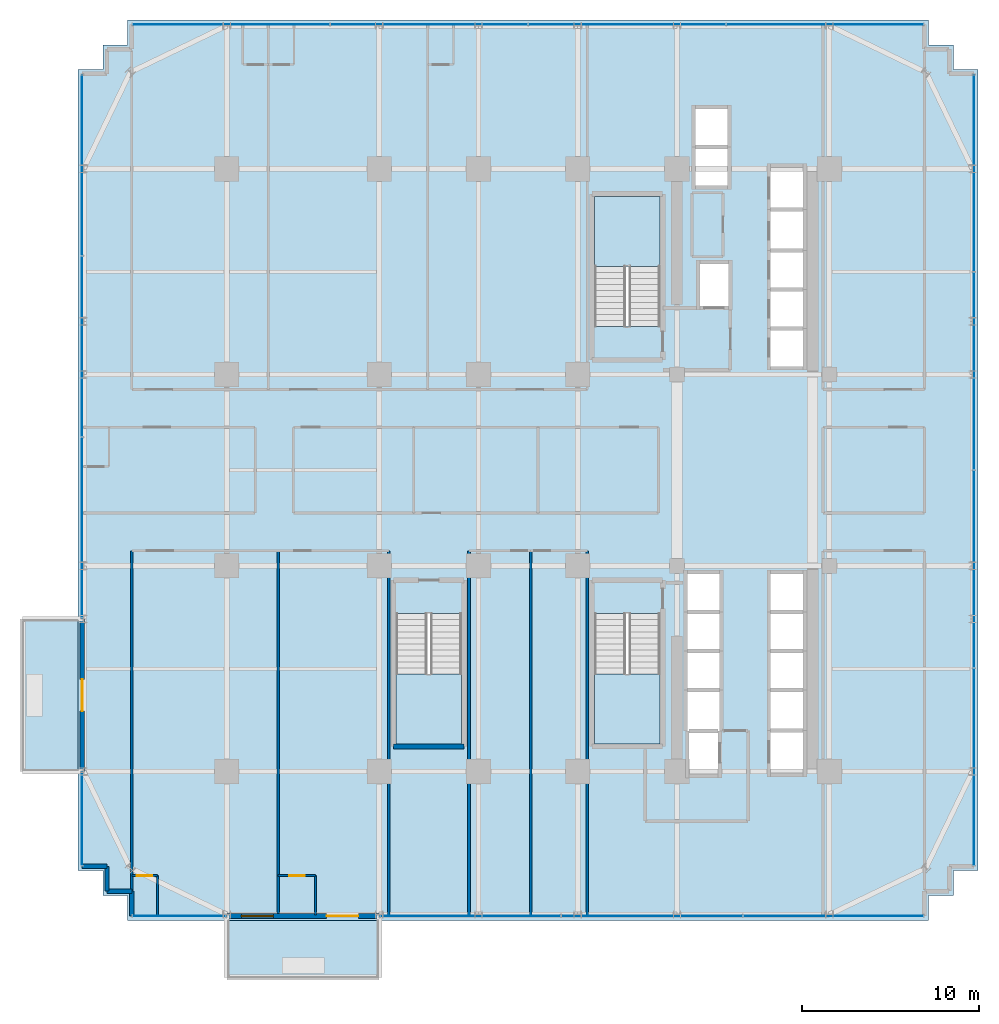
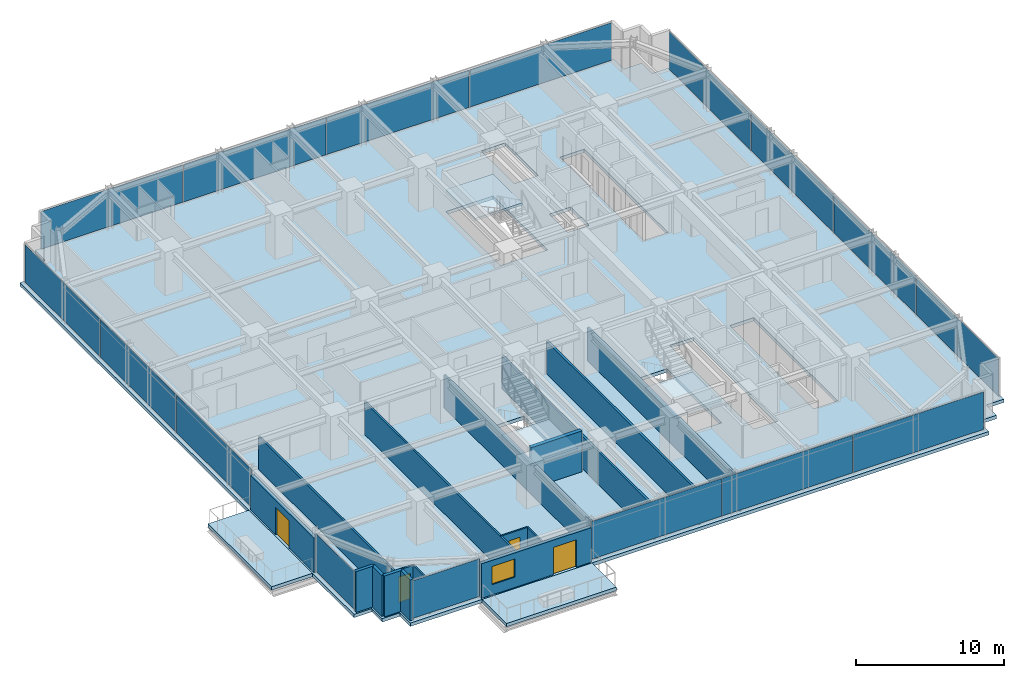
# One storey, part 30 of 37: 17 walls, 16 plates, 6 slabs, 4 doors, 1 window, 5 openings, 9 elements without a shape of their own.
"""IFC4 building model written with IfcOpenShell, lengths in metres."""

from ifc_helpers import new_model, si_unit, direction, frame, frame_2d, origin, origin_2d, place, context, subcontext, project, spatial, polyline, rectangle, outline, extrude, source, transform, mapped, material, layer, layer_set, type_object, element, fill, aggregate, save


model = new_model("IFC4")

# Units and contexts
model_context = context("Model", 3, precision=1e-05, world=origin(), true_north=direction((0.0, 1.0)))
body_context = subcontext(model_context, "Body", "Model", "MODEL_VIEW")
ifc_project = project(units=[si_unit("LENGTHUNIT", "METRE"), si_unit("AREAUNIT", "SQUARE_METRE"), si_unit("VOLUMEUNIT", "CUBIC_METRE"), si_unit("PLANEANGLEUNIT", "RADIAN"), si_unit("MASSUNIT", "GRAM", prefix="KILO")], contexts=[model_context])

# Site, building, storey
site_placement = place(None, origin())
site = spatial("IfcSite", under=ifc_project, at=site_placement, CompositionType="ELEMENT")
building_placement = place(site_placement, origin())
building = spatial("IfcBuilding", under=site, at=building_placement, Name="Nahalor Promenade Grand Hotel", CompositionType="ELEMENT")
storey_placement = place(building_placement, frame((0.0, 0.0, 36.050048828125)))
storey = spatial("IfcBuildingStorey", under=building, at=storey_placement, Name="L07", CompositionType="ELEMENT", Elevation=36.050048828125)

# Stair, slab
ifc_material_1 = material(Name="Concrete B-50 (C40/50)", Category="concrete")
stair_type_1 = type_object("IfcStairType", Name="Stair-ST1", PredefinedType="HALF_TURN_STAIR", material=ifc_material_1)
stair_1_placement = place(storey_placement, origin())
stair_1 = element("IfcStair", 1, at=stair_1_placement, inside=storey, type_object=stair_type_1, Name="L07 ST1", PredefinedType="HALF_TURN_STAIR")
ifc_layer_1 = layer(ifc_material_1, 0.199951171875)
ifc_layer_set_1 = layer_set([ifc_layer_1], Name="Concrete B-50 (C40/50)")
slab_type_1 = type_object("IfcSlabType", Name="Landing-ST1", PredefinedType="LANDING", material=ifc_layer_set_1)
slab_1_placement = place(storey_placement, frame((0.0, 0.0, 1.625)))
slab_1 = element("IfcSlab", 2, at=slab_1_placement, type_object=slab_type_1, Name="ST1 landing 1", PredefinedType="LANDING", context=body_context, shape_type="SweptSolid", body=[
    extrude(outline(polyline([(7.449951171875, 11.5), (7.449951171875, 15.449951171875), (3.75, 15.449951171875), (3.75, 11.5), (7.449951171875, 11.5)])), origin(), (0.0, 0.0, 1.0), 0.199951171875),
])
aggregate(stair_1, [slab_1])

stair_type_2 = type_object("IfcStairType", Name="Stair-ST2", PredefinedType="HALF_TURN_STAIR", material=ifc_material_1)
stair_2_placement = place(storey_placement, origin())
stair_2 = element("IfcStair", 3, at=stair_2_placement, inside=storey, type_object=stair_type_2, Name="L07 ST2", PredefinedType="HALF_TURN_STAIR")
ifc_layer_2 = layer(ifc_material_1, 0.2099609375)
ifc_layer_set_2 = layer_set([ifc_layer_2], Name="Concrete B-50 (C40/50)")
slab_type_2 = type_object("IfcSlabType", Name="Landing-ST2", PredefinedType="LANDING", material=ifc_layer_set_2)
slab_2_placement = place(storey_placement, frame((0.0, 0.0, 1.614990234375)))
slab_2 = element("IfcSlab", 4, at=slab_2_placement, type_object=slab_type_2, Name="ST2 landing 1", PredefinedType="LANDING", context=body_context, shape_type="SweptSolid", body=[
    extrude(outline(polyline([(3.75, -11.5), (3.75, -15.449951171875), (7.449951171875, -15.449951171875), (7.449951171875, -11.5), (3.75, -11.5)])), origin(), (0.0, 0.0, 1.0), 0.2099609375),
])
aggregate(stair_2, [slab_2])

stair_type_3 = type_object("IfcStairType", Name="Stair-ST3", PredefinedType="HALF_TURN_STAIR", material=ifc_material_1)
stair_3_placement = place(storey_placement, origin())
stair_3 = element("IfcStair", 5, at=stair_3_placement, inside=storey, type_object=stair_type_3, Name="L07 ST3", PredefinedType="HALF_TURN_STAIR")
ifc_layer_3 = layer(ifc_material_1, 0.219970703125)
ifc_layer_set_3 = layer_set([ifc_layer_3], Name="Concrete B-50 (C40/50)")
slab_type_3 = type_object("IfcSlabType", Name="Landing-ST3", PredefinedType="LANDING", material=ifc_layer_set_3)
slab_3_placement = place(storey_placement, frame((0.0, 0.0, 1.60498046875)))
slab_3 = element("IfcSlab", 6, at=slab_3_placement, type_object=slab_type_3, Name="ST3 landing 1", PredefinedType="LANDING", context=body_context, shape_type="SweptSolid", body=[
    extrude(outline(polyline([(-7.449951171875, -11.5), (-7.449951171875, -15.449951171875), (-3.75, -15.449951171875), (-3.75, -11.5), (-7.449951171875, -11.5)])), origin(), (0.0, 0.0, 1.0), 0.219970703125),
])
aggregate(stair_3, [slab_3])

# Slabs
ifc_layer_4 = layer(ifc_material_1, 0.280029296875)
ifc_layer_set_4 = layer_set([ifc_layer_4], Name="Concrete B-50 (C40/50)")
slab_type_4 = type_object("IfcSlabType", Name="Slab-Balcony-280", PredefinedType="FLOOR", material=ifc_layer_set_4)
slab_4_placement = place(storey_placement, frame((0.0, 0.0, -0.280029296875)))
element("IfcSlab", 7, at=slab_4_placement, inside=storey, type_object=slab_type_4, Name="L07 Cantilevered Planted Balcony 1", PredefinedType="FLOOR", context=body_context, shape_type="SweptSolid", body=[
    extrude(outline(polyline([(-17.0, -28.699951171875), (-8.39990234375, -28.699951171875), (-8.39990234375, -25.39990234375), (-17.0, -25.39990234375), (-17.0, -28.699951171875)])), origin(), (0.0, 0.0, 1.0), 0.280029296875),
])
slab_5_placement = place(storey_placement, frame((0.0, 0.0, -0.280029296875)))
element("IfcSlab", 8, at=slab_5_placement, inside=storey, type_object=slab_type_4, Name="L07 Cantilevered Planted Balcony 2", PredefinedType="FLOOR", context=body_context, shape_type="SweptSolid", body=[
    extrude(outline(polyline([(-28.60009765625, -17.0), (-25.39990234375, -17.0), (-25.39990234375, -8.39990234375), (-28.60009765625, -8.39990234375), (-28.60009765625, -17.0)])), origin(), (0.0, 0.0, 1.0), 0.280029296875),
])
ifc_layer_5 = layer(ifc_material_1, 0.280029296875)
ifc_layer_set_5 = layer_set([ifc_layer_5], Name="Concrete B-50 (C40/50)")
slab_type_5 = type_object("IfcSlabType", Name="Slab-TowerZ1-280", PredefinedType="FLOOR", material=ifc_layer_set_5)
slab_6_placement = place(storey_placement, frame((0.0, 0.0, -0.280029296875)))
element("IfcSlab", 9, at=slab_6_placement, inside=storey, type_object=slab_type_5, Name="L07 Suspended Structural Floor Slab", PredefinedType="FLOOR", context=body_context, shape_type="SweptSolid", body=[
    extrude(outline(polyline([(-22.60009765625, -25.39990234375), (22.60009765625, -25.39990234375), (22.60009765625, -24.0), (24.0, -24.0), (24.0, -22.60009765625), (25.39990234375, -22.60009765625), (25.39990234375, 22.60009765625), (24.0, 22.60009765625), (24.0, 24.0), (22.60009765625, 24.0), (22.60009765625, 25.39990234375), (-22.60009765625, 25.39990234375), (-22.60009765625, 24.0), (-24.0, 24.0), (-24.0, 22.60009765625), (-25.39990234375, 22.60009765625), (-25.39990234375, -22.60009765625), (-24.0, -22.60009765625), (-24.0, -24.0), (-22.60009765625, -24.0), (-22.60009765625, -25.39990234375)]), holes=[polyline([(3.75, 8.10009765625), (7.449951171875, 8.10009765625), (7.449951171875, 15.449951171875), (3.75, 15.449951171875), (3.75, 8.10009765625)]), polyline([(3.75, -15.449951171875), (7.449951171875, -15.449951171875), (7.449951171875, -8.10009765625), (3.75, -8.10009765625), (3.75, -15.449951171875)]), polyline([(-7.449951171875, -15.449951171875), (-3.75, -15.449951171875), (-3.75, -8.10009765625), (-7.449951171875, -8.10009765625), (-7.449951171875, -15.449951171875)]), polyline([(13.659912109375, 5.81005859375), (15.5400390625, 5.81005859375), (15.5400390625, 17.139892578125), (13.659912109375, 17.139892578125), (13.659912109375, 5.81005859375)]), polyline([(13.659912109375, -17.139892578125), (15.5400390625, -17.139892578125), (15.5400390625, -5.81005859375), (13.659912109375, -5.81005859375), (13.659912109375, -17.139892578125)]), polyline([(8.9599609375, -17.18994140625), (10.840087890625, -17.18994140625), (10.840087890625, -5.81005859375), (8.9599609375, -5.81005859375), (8.9599609375, -17.18994140625)]), polyline([(9.409912109375, 16.010009765625), (11.2900390625, 16.010009765625), (11.2900390625, 20.43994140625), (9.409912109375, 20.43994140625), (9.409912109375, 16.010009765625)]), polyline([(9.659912109375, 9.2099609375), (11.340087890625, 9.2099609375), (11.340087890625, 11.68994140625), (9.659912109375, 11.68994140625), (9.659912109375, 9.2099609375)])]), origin(), (0.0, 0.0, 1.0), 0.280029296875),
])

# Curtain wall, plate
ifc_material_2 = material(Name="Anodised Bronze Aluminium EN AW-6063 T6", Category="aluminium")
curtain_wall_type = type_object("IfcCurtainWallType", Name="CW2 Typical Hotel Flush Bronze Unitised Curtain Wall", PredefinedType="USERDEFINED", material=ifc_material_2)
curtain_wall_1_placement = place(storey_placement, origin())
curtain_wall_1 = element("IfcCurtainWall", 10, at=curtain_wall_1_placement, inside=storey, type_object=curtain_wall_type, Name="L07 Curtain Wall CW-L07-S-1", ObjectType="UNITISED_CURTAIN_WALL", PredefinedType="USERDEFINED")
ifc_material_3 = material(Name="Low-E Laminated Solar Glass", Category="glass")
ifc_layer_6 = layer(ifc_material_3, 0.028076171875)
ifc_layer_set_6 = layer_set([ifc_layer_6], Name="Low-E Laminated Solar Glass")
plate_type = type_object("IfcPlateType", Name="CWP2 Bronze Low-E Vision IGU 28mm", PredefinedType="CURTAIN_PANEL", material=ifc_layer_set_6)
shared_shape_1 = source(origin(), body_context, "Body", "SweptSolid", [
    extrude(rectangle(XDim=5.22998046875, YDim=0.028076171875, at=origin_2d()), origin(), (0.0, 0.0, 1.0), 3.110107421875),
])
plate_1_placement = place(storey_placement, frame((-19.679931640625, -25.159912109375, 0.1298828125), z_axis=(0.0, 0.0, 1.0), x_axis=(1.0, 0.0, 0.0)))
plate_1 = element("IfcPlate", 11, at=plate_1_placement, type_object=plate_type, Name="CW-L07-S-1 Glazing Panel 0-0", PredefinedType="CURTAIN_PANEL", context=body_context, shape_type="MappedRepresentation", body=[
    mapped(shared_shape_1, transform((0.0, 0.0, 0.0), scale=1.0)),
])
aggregate(curtain_wall_1, [plate_1])

curtain_wall_2_placement = place(storey_placement, origin())
curtain_wall_2 = element("IfcCurtainWall", 12, at=curtain_wall_2_placement, inside=storey, type_object=curtain_wall_type, Name="L07 Curtain Wall CW-L07-W-1", ObjectType="UNITISED_CURTAIN_WALL", PredefinedType="USERDEFINED")
plate_2_placement = place(storey_placement, frame((-25.159912109375, -19.679931640625, 0.1298828125), z_axis=(0.0, 0.0, 1.0), x_axis=(0.0, 1.0, 0.0)))
plate_2 = element("IfcPlate", 13, at=plate_2_placement, type_object=plate_type, Name="CW-L07-W-1 Glazing Panel 0-0", PredefinedType="CURTAIN_PANEL", context=body_context, shape_type="MappedRepresentation", body=[
    mapped(shared_shape_1, transform((0.0, 0.0, 0.0), scale=1.0)),
])
aggregate(curtain_wall_2, [plate_2])

# Curtain wall, plates
curtain_wall_3_placement = place(storey_placement, origin())
curtain_wall_3 = element("IfcCurtainWall", 14, at=curtain_wall_3_placement, inside=storey, type_object=curtain_wall_type, Name="L07 Curtain Wall CW-L07-S-3", ObjectType="UNITISED_CURTAIN_WALL", PredefinedType="USERDEFINED")
shared_shape_2 = source(origin(), body_context, "Body", "SweptSolid", [
    extrude(rectangle(XDim=10.15576171875, YDim=0.028076171875, at=origin_2d()), origin(), (0.0, 0.0, 1.0), 3.110107421875),
])
plate_3_placement = place(storey_placement, frame((-3.257080078125, -25.159912109375, 0.1298828125), z_axis=(0.0, 0.0, 1.0), x_axis=(1.0, 0.0, 0.0)))
plate_3 = element("IfcPlate", 15, at=plate_3_placement, type_object=plate_type, Name="CW-L07-S-3 Glazing Panel 0-0", PredefinedType="CURTAIN_PANEL", context=body_context, shape_type="MappedRepresentation", body=[
    mapped(shared_shape_2, transform((0.0, 0.0, 0.0), scale=1.0)),
])
plate_4_placement = place(storey_placement, frame((17.217041015625, -25.159912109375, 0.1298828125), z_axis=(0.0, 0.0, 1.0), x_axis=(1.0, 0.0, 0.0)))
plate_4 = element("IfcPlate", 16, at=plate_4_placement, type_object=plate_type, Name="CW-L07-S-3 Glazing Panel 2-0", PredefinedType="CURTAIN_PANEL", context=body_context, shape_type="MappedRepresentation", body=[
    mapped(shared_shape_2, transform((0.0, 0.0, 0.0), scale=1.0)),
])

curtain_wall_4_placement = place(storey_placement, origin())
curtain_wall_4 = element("IfcCurtainWall", 17, at=curtain_wall_4_placement, inside=storey, type_object=curtain_wall_type, Name="L07 Curtain Wall CW-L07-W-3", ObjectType="UNITISED_CURTAIN_WALL", PredefinedType="USERDEFINED")
plate_5_placement = place(storey_placement, frame((-25.159912109375, -3.257080078125, 0.1298828125), z_axis=(0.0, 0.0, 1.0), x_axis=(0.0, 1.0, 0.0)))
plate_5 = element("IfcPlate", 18, at=plate_5_placement, type_object=plate_type, Name="CW-L07-W-3 Glazing Panel 0-0", PredefinedType="CURTAIN_PANEL", context=body_context, shape_type="MappedRepresentation", body=[
    mapped(shared_shape_2, transform((0.0, 0.0, 0.0), scale=1.0)),
])
plate_6_placement = place(storey_placement, frame((-25.159912109375, 17.217041015625, 0.1298828125), z_axis=(0.0, 0.0, 1.0), x_axis=(0.0, 1.0, 0.0)))
plate_6 = element("IfcPlate", 19, at=plate_6_placement, type_object=plate_type, Name="CW-L07-W-3 Glazing Panel 2-0", PredefinedType="CURTAIN_PANEL", context=body_context, shape_type="MappedRepresentation", body=[
    mapped(shared_shape_2, transform((0.0, 0.0, 0.0), scale=1.0)),
])

# Plate
shared_shape_3 = source(origin(), body_context, "Body", "SweptSolid", [
    extrude(rectangle(XDim=10.188232421875, YDim=0.028076171875, at=origin_2d()), origin(), (0.0, 0.0, 1.0), 3.110107421875),
])
plate_7_placement = place(storey_placement, frame((6.97998046875, -25.159912109375, 0.1298828125), z_axis=(0.0, 0.0, 1.0), x_axis=(1.0, 0.0, 0.0)))
plate_7 = element("IfcPlate", 20, at=plate_7_placement, type_object=plate_type, Name="CW-L07-S-3 Glazing Panel 1-0", PredefinedType="CURTAIN_PANEL", context=body_context, shape_type="MappedRepresentation", body=[
    mapped(shared_shape_3, transform((0.0, 0.0, 0.0), scale=1.0)),
])

aggregate(curtain_wall_3, [plate_3, plate_7, plate_4])

plate_8_placement = place(storey_placement, frame((-25.159912109375, 6.97998046875, 0.1298828125), z_axis=(0.0, 0.0, 1.0), x_axis=(0.0, 1.0, 0.0)))
plate_8 = element("IfcPlate", 21, at=plate_8_placement, type_object=plate_type, Name="CW-L07-W-3 Glazing Panel 1-0", PredefinedType="CURTAIN_PANEL", context=body_context, shape_type="MappedRepresentation", body=[
    mapped(shared_shape_3, transform((0.0, 0.0, 0.0), scale=1.0)),
])

aggregate(curtain_wall_4, [plate_5, plate_8, plate_6])

# Curtain wall, plates
curtain_wall_5_placement = place(storey_placement, origin())
curtain_wall_5 = element("IfcCurtainWall", 22, at=curtain_wall_5_placement, inside=storey, type_object=curtain_wall_type, Name="L07 Curtain Wall CW-L07-N-1", ObjectType="UNITISED_CURTAIN_WALL", PredefinedType="USERDEFINED")
shared_shape_4 = source(origin(), body_context, "Body", "SweptSolid", [
    extrude(rectangle(XDim=11.08251953125, YDim=0.028076171875, at=origin_2d()), origin(), (0.0, 0.0, 1.0), 3.110107421875),
])
plate_9_placement = place(storey_placement, frame((-16.753662109375, 25.159912109375, 0.1298828125), z_axis=(0.0, 0.0, 1.0), x_axis=(1.0, 0.0, 0.0)))
plate_9 = element("IfcPlate", 23, at=plate_9_placement, type_object=plate_type, Name="CW-L07-N-1 Glazing Panel 0-0", PredefinedType="CURTAIN_PANEL", context=body_context, shape_type="MappedRepresentation", body=[
    mapped(shared_shape_4, transform((0.0, 0.0, 0.0), scale=1.0)),
])
plate_10_placement = place(storey_placement, frame((16.753662109375, 25.159912109375, 0.1298828125), z_axis=(0.0, 0.0, 1.0), x_axis=(1.0, 0.0, 0.0)))
plate_10 = element("IfcPlate", 24, at=plate_10_placement, type_object=plate_type, Name="CW-L07-N-1 Glazing Panel 3-0", PredefinedType="CURTAIN_PANEL", context=body_context, shape_type="MappedRepresentation", body=[
    mapped(shared_shape_4, transform((0.0, 0.0, 0.0), scale=1.0)),
])

curtain_wall_6_placement = place(storey_placement, origin())
curtain_wall_6 = element("IfcCurtainWall", 25, at=curtain_wall_6_placement, inside=storey, type_object=curtain_wall_type, Name="L07 Curtain Wall CW-L07-E-1", ObjectType="UNITISED_CURTAIN_WALL", PredefinedType="USERDEFINED")
plate_11_placement = place(storey_placement, frame((25.159912109375, -16.753662109375, 0.1298828125), z_axis=(0.0, 0.0, 1.0), x_axis=(0.0, 1.0, 0.0)))
plate_11 = element("IfcPlate", 26, at=plate_11_placement, type_object=plate_type, Name="CW-L07-E-1 Glazing Panel 0-0", PredefinedType="CURTAIN_PANEL", context=body_context, shape_type="MappedRepresentation", body=[
    mapped(shared_shape_4, transform((0.0, 0.0, 0.0), scale=1.0)),
])
plate_12_placement = place(storey_placement, frame((25.159912109375, 16.753662109375, 0.1298828125), z_axis=(0.0, 0.0, 1.0), x_axis=(0.0, 1.0, 0.0)))
plate_12 = element("IfcPlate", 27, at=plate_12_placement, type_object=plate_type, Name="CW-L07-E-1 Glazing Panel 3-0", PredefinedType="CURTAIN_PANEL", context=body_context, shape_type="MappedRepresentation", body=[
    mapped(shared_shape_4, transform((0.0, 0.0, 0.0), scale=1.0)),
])

# Plate
shared_shape_5 = source(origin(), body_context, "Body", "SweptSolid", [
    extrude(rectangle(XDim=11.114990234375, YDim=0.028076171875, at=origin_2d()), origin(), (0.0, 0.0, 1.0), 3.110107421875),
])
plate_13_placement = place(storey_placement, frame((-5.590087890625, 25.159912109375, 0.1298828125), z_axis=(0.0, 0.0, 1.0), x_axis=(1.0, 0.0, 0.0)))
plate_13 = element("IfcPlate", 28, at=plate_13_placement, type_object=plate_type, Name="CW-L07-N-1 Glazing Panel 1-0", PredefinedType="CURTAIN_PANEL", context=body_context, shape_type="MappedRepresentation", body=[
    mapped(shared_shape_5, transform((0.0, 0.0, 0.0), scale=1.0)),
])

plate_14_placement = place(storey_placement, frame((5.590087890625, 25.159912109375, 0.1298828125), z_axis=(0.0, 0.0, 1.0), x_axis=(1.0, 0.0, 0.0)))
plate_14 = element("IfcPlate", 29, at=plate_14_placement, type_object=plate_type, Name="CW-L07-N-1 Glazing Panel 2-0", PredefinedType="CURTAIN_PANEL", context=body_context, shape_type="MappedRepresentation", body=[
    mapped(shared_shape_5, transform((0.0, 0.0, 0.0), scale=1.0)),
])

aggregate(curtain_wall_5, [plate_9, plate_13, plate_14, plate_10])

plate_15_placement = place(storey_placement, frame((25.159912109375, -5.590087890625, 0.1298828125), z_axis=(0.0, 0.0, 1.0), x_axis=(0.0, 1.0, 0.0)))
plate_15 = element("IfcPlate", 30, at=plate_15_placement, type_object=plate_type, Name="CW-L07-E-1 Glazing Panel 1-0", PredefinedType="CURTAIN_PANEL", context=body_context, shape_type="MappedRepresentation", body=[
    mapped(shared_shape_5, transform((0.0, 0.0, 0.0), scale=1.0)),
])

plate_16_placement = place(storey_placement, frame((25.159912109375, 5.590087890625, 0.1298828125), z_axis=(0.0, 0.0, 1.0), x_axis=(0.0, 1.0, 0.0)))
plate_16 = element("IfcPlate", 31, at=plate_16_placement, type_object=plate_type, Name="CW-L07-E-1 Glazing Panel 2-0", PredefinedType="CURTAIN_PANEL", context=body_context, shape_type="MappedRepresentation", body=[
    mapped(shared_shape_5, transform((0.0, 0.0, 0.0), scale=1.0)),
])

aggregate(curtain_wall_6, [plate_11, plate_15, plate_16, plate_12])

# Walls
ifc_layer_7 = layer(ifc_material_1, 0.300048828125)
ifc_layer_set_7 = layer_set([ifc_layer_7], Name="Concrete B-50 (C40/50)")
wall_type_1 = type_object("IfcWallType", Name="Wall-ShaftShear-300", PredefinedType="SHEAR", material=ifc_layer_set_7)
shared_shape_6 = source(origin(), body_context, "Body", "SweptSolid", [
    extrude(rectangle(XDim=3.97998046875, YDim=0.300048828125, at=frame_2d((1.989990234375, 0.0))), origin(), (0.0, 0.0, 1.0), 3.369873046875),
])
wall_1_placement = place(storey_placement, frame((-7.590087890625, -15.590087890625, 0.0), z_axis=(0.0, 0.0, 1.0), x_axis=(1.0, 0.0, 0.0)))
element("IfcWall", 32, at=wall_1_placement, inside=storey, type_object=wall_type_1, Name="L07 Exit Stair ST3 Shaft Wall S", PredefinedType="SHEAR", context=body_context, shape_type="MappedRepresentation", body=[
    mapped(shared_shape_6, transform((0.0, 0.0, 0.0), scale=1.0)),
])
ifc_material_4 = material(Name="Concrete B-40 (C32/40)", Category="concrete")
ifc_layer_8 = layer(ifc_material_4, 0.25)
ifc_layer_set_8 = layer_set([ifc_layer_8], Name="Concrete B-40 (C32/40)")
wall_type_2 = type_object("IfcWallType", Name="Wall-BronzePier-250", PredefinedType="STANDARD", material=ifc_layer_set_8)
shared_shape_7 = source(origin(), body_context, "Body", "SweptSolid", [
    extrude(rectangle(XDim=1.39990234375, YDim=0.25, at=frame_2d((0.699951171875, 0.0))), origin(), (0.0, 0.0, 1.0), 3.369873046875),
])
for number, where, z_axis, x_axis, name in (
    (33, (-25.159912109375, -22.360107421875, 0.0), (0.0, 0.0, 1.0), (1.0, 0.0, 0.0), "W-L07-SR-13"),
    (34, (-23.760009765625, -23.760009765625, 0.0), (0.0, 0.0, 1.0), (0.0, 1.0, 0.0), "W-L07-SR-14"),
    (35, (-23.760009765625, -23.760009765625, 0.0), (0.0, 0.0, 1.0), (1.0, 0.0, 0.0), "W-L07-SR-15"),
    (36, (-22.360107421875, -25.159912109375, 0.0), (0.0, 0.0, 1.0), (0.0, 1.0, 0.0), "W-L07-SR-16"),
):
    element("IfcWall", number, at=place(storey_placement, frame(where, z_axis=z_axis, x_axis=x_axis)), inside=storey, type_object=wall_type_2, Name=name, PredefinedType="STANDARD", context=body_context, shape_type="MappedRepresentation", body=[
        mapped(shared_shape_7, transform((0.0, 0.0, 0.0), scale=1.0)),
    ])

# Wall, openings, door, window
ifc_layer_9 = layer(ifc_material_4, 0.260009765625)
ifc_layer_set_9 = layer_set([ifc_layer_9], Name="Concrete B-40 (C32/40)")
wall_type_3 = type_object("IfcWallType", Name="Wall-BalconyWall-260", PredefinedType="STANDARD", material=ifc_layer_set_9)
shared_shape_8 = source(origin(), body_context, "Body", "SweptSolid", [
    extrude(rectangle(XDim=8.60009765625, YDim=0.260009765625, at=frame_2d((4.300048828125, 0.0))), origin(), (0.0, 0.0, 1.0), 2.849853515625),
])
wall_2_placement = place(storey_placement, frame((-17.0, -25.159912109375, 0.0), z_axis=(0.0, 0.0, 1.0), x_axis=(1.0, 0.0, 0.0)))
wall_2 = element("IfcWall", 37, at=wall_2_placement, inside=storey, type_object=wall_type_3, Name="W-L07-BALC-S-2", PredefinedType="STANDARD", context=body_context, shape_type="MappedRepresentation", body=[
    mapped(shared_shape_8, transform((0.0, 0.0, 0.0), scale=1.0)),
])
opening_1_placement = place(wall_2_placement, frame((5.6298828125, 0.0, 0.0)))
opening_1 = element("IfcOpeningElement", 38, at=opening_1_placement, cuts=wall_2, Name="Opening D-BC1", PredefinedType="OPENING", context=body_context, shape_type="SweptSolid", body=[
    extrude(rectangle(XDim=1.800048828125, YDim=2.25, at=frame_2d((0.89990234375, 1.125))), frame((0.0, 0.139892578125, 0.0), z_axis=(0.0, -1.0, 0.0), x_axis=(1.0, 0.0, 0.0)), (0.0, 0.0, 1.0), 0.280029296875),
])
opening_2_placement = place(wall_2_placement, frame((0.824951171875, 0.0, 0.85009765625)))
opening_2 = element("IfcOpeningElement", 39, at=opening_2_placement, cuts=wall_2, Name="Opening WN-01", PredefinedType="OPENING", context=body_context, shape_type="SweptSolid", body=[
    extrude(rectangle(XDim=1.800048828125, YDim=1.5, at=frame_2d((0.89990234375, 0.75))), frame((0.0, 0.139892578125, 0.0), z_axis=(0.0, -1.0, 0.0), x_axis=(1.0, 0.0, 0.0)), (0.0, 0.0, 1.0), 0.280029296875),
])
door_type_1 = type_object("IfcDoorType", Name="Door-BalconySlide-1800", OperationType="DOUBLE_DOOR_SLIDING", PredefinedType="DOOR", material=ifc_material_2)
shared_shape_9 = source(origin(), body_context, "Body", "SweptSolid", [
    extrude(rectangle(XDim=1.800048828125, YDim=2.25, at=frame_2d((0.89990234375, 1.125))), frame((0.0, 0.02490234375, 0.0), z_axis=(0.0, -1.0, 0.0), x_axis=(1.0, 0.0, 0.0)), (0.0, 0.0, 1.0), 0.050048828125),
])
door_1_placement = place(opening_1_placement, frame((1.800048828125, 0.0, 0.0), z_axis=(0.0, 0.0, 1.0), x_axis=(-1.0, 0.0, 0.0)))
door_1 = element("IfcDoor", 40, at=door_1_placement, inside=storey, type_object=door_type_1, Name="DR-L07-BALC-S-2", OperationType="DOUBLE_DOOR_SLIDING", OverallHeight=2.25, OverallWidth=1.800048828125, PredefinedType="DOOR", context=body_context, shape_type="MappedRepresentation", body=[
    mapped(shared_shape_9, transform((0.0, 0.0, 0.0), scale=1.0)),
])
fill(opening_1, door_1)
window_type = type_object("IfcWindowType", Name="Win-ChicagoBay-1800x1500", PartitioningType="SINGLE_PANEL", PredefinedType="WINDOW", material=ifc_material_3)
shared_shape_10 = source(origin(), body_context, "Body", "SweptSolid", [
    extrude(rectangle(XDim=1.800048828125, YDim=1.5, at=frame_2d((0.89990234375, 0.75))), frame((0.0, 0.030029296875, 0.0), z_axis=(0.0, -1.0, 0.0), x_axis=(1.0, 0.0, 0.0)), (0.0, 0.0, 1.0), 0.06005859375),
])
window_placement = place(opening_2_placement, origin())
window = element("IfcWindow", 41, at=window_placement, inside=storey, type_object=window_type, Name="WN-L07-BALC-S-2-1", OverallHeight=1.5, OverallWidth=1.800048828125, PartitioningType="SINGLE_PANEL", PredefinedType="WINDOW", context=body_context, shape_type="MappedRepresentation", body=[
    mapped(shared_shape_10, transform((0.0, 0.0, 0.0), scale=1.0)),
])
fill(opening_2, window)

# Wall, opening, door
wall_3_placement = place(storey_placement, frame((-25.159912109375, -17.0, 0.0), z_axis=(0.0, 0.0, 1.0), x_axis=(0.0, 1.0, 0.0)))
wall_3 = element("IfcWall", 42, at=wall_3_placement, inside=storey, type_object=wall_type_3, Name="W-L07-BALC-W-2", PredefinedType="STANDARD", context=body_context, shape_type="MappedRepresentation", body=[
    mapped(shared_shape_8, transform((0.0, 0.0, 0.0), scale=1.0)),
])
opening_3_placement = place(wall_3_placement, frame((3.39990234375, 0.0, 0.0)))
opening_3 = element("IfcOpeningElement", 43, at=opening_3_placement, cuts=wall_3, Name="Opening D-BC1", PredefinedType="OPENING", context=body_context, shape_type="SweptSolid", body=[
    extrude(rectangle(XDim=1.800048828125, YDim=2.25, at=frame_2d((0.89990234375, 1.125))), frame((0.0, 0.139892578125, 0.0), z_axis=(0.0, -1.0, 0.0), x_axis=(1.0, 0.0, 0.0)), (0.0, 0.0, 1.0), 0.280029296875),
])
door_2_placement = place(opening_3_placement, origin())
door_2 = element("IfcDoor", 44, at=door_2_placement, inside=storey, type_object=door_type_1, Name="DR-L07-BALC-W-2", OperationType="DOUBLE_DOOR_SLIDING", OverallHeight=2.25, OverallWidth=1.800048828125, PredefinedType="DOOR", context=body_context, shape_type="MappedRepresentation", body=[
    mapped(shared_shape_9, transform((0.0, 0.0, 0.0), scale=1.0)),
])
fill(opening_3, door_2)

# Walls
ifc_material_5 = material(Name="Acoustic Mineral Gypsum", Category="gypsum")
ifc_layer_10 = layer(ifc_material_5, 0.159912109375)
ifc_layer_set_10 = layer_set([ifc_layer_10], Name="Acoustic Mineral Gypsum")
wall_type_4 = type_object("IfcWallType", Name="Wall-PartCorridor-160", PredefinedType="PARTITIONING", material=ifc_layer_set_10)
shared_shape_11 = source(origin(), body_context, "Body", "SweptSolid", [
    extrude(rectangle(XDim=20.550048828125, YDim=0.159912109375, at=frame_2d((10.27490234375, 0.0))), origin(), (0.0, 0.0, 1.0), 2.7099609375),
])
for number, where, z_axis, x_axis, name in (
    (45, (-3.340087890625, -25.10009765625, 0.0), (0.0, 0.0, 1.0), (0.0, 1.0, 0.0), "W-L07-SCB1-W"),
    (46, (0.14990234375, -25.10009765625, 0.0), (0.0, 0.0, 1.0), (0.0, 1.0, 0.0), "W-L07-SCB1-E"),
    (47, (3.340087890625, -25.10009765625, 0.0), (0.0, 0.0, 1.0), (0.0, 1.0, 0.0), "W-L07-SCB2-E"),
):
    element("IfcWall", number, at=place(storey_placement, frame(where, z_axis=z_axis, x_axis=x_axis)), inside=storey, type_object=wall_type_4, Name=name, PredefinedType="PARTITIONING", context=body_context, shape_type="MappedRepresentation", body=[
        mapped(shared_shape_11, transform((0.0, 0.0, 0.0), scale=1.0)),
    ])
ifc_layer_11 = layer(ifc_material_5, 0.139892578125)
ifc_layer_set_11 = layer_set([ifc_layer_11], Name="Acoustic Mineral Gypsum")
wall_type_5 = type_object("IfcWallType", Name="Wall-PartSuite-140", PredefinedType="PARTITIONING", material=ifc_layer_set_11)
shared_shape_12 = source(origin(), body_context, "Body", "SweptSolid", [
    extrude(rectangle(XDim=19.1298828125, YDim=0.139892578125, at=frame_2d((9.56494140625, 0.0))), origin(), (0.0, 0.0, 1.0), 2.7099609375),
])
wall_4_placement = place(storey_placement, frame((-22.360107421875, -23.679931640625, 0.0), z_axis=(0.0, 0.0, 1.0), x_axis=(0.0, 1.0, 0.0)))
element("IfcWall", 48, at=wall_4_placement, inside=storey, type_object=wall_type_5, Name="W-L07-SW-ENDW", PredefinedType="PARTITIONING", context=body_context, shape_type="MappedRepresentation", body=[
    mapped(shared_shape_12, transform((0.0, 0.0, 0.0), scale=1.0)),
])
shared_shape_13 = source(origin(), body_context, "Body", "SweptSolid", [
    extrude(rectangle(XDim=20.550048828125, YDim=0.139892578125, at=frame_2d((10.27490234375, 0.0))), origin(), (0.0, 0.0, 1.0), 2.7099609375),
])
for number, where, z_axis, x_axis, name in (
    (49, (-7.860107421875, -25.10009765625, 0.0), (0.0, 0.0, 1.0), (0.0, 1.0, 0.0), "W-L07-SW-ENDE"),
    (50, (-14.10009765625, -25.10009765625, 0.0), (0.0, 0.0, 1.0), (0.0, 1.0, 0.0), "W-L07-SP-1"),
):
    element("IfcWall", number, at=place(storey_placement, frame(where, z_axis=z_axis, x_axis=x_axis)), inside=storey, type_object=wall_type_5, Name=name, PredefinedType="PARTITIONING", context=body_context, shape_type="MappedRepresentation", body=[
        mapped(shared_shape_13, transform((0.0, 0.0, 0.0), scale=1.0)),
    ])

# Wall, opening, door
ifc_layer_12 = layer(ifc_material_5, 0.1201171875)
ifc_layer_set_12 = layer_set([ifc_layer_12], Name="Acoustic Mineral Gypsum")
wall_type_6 = type_object("IfcWallType", Name="Wall-PartBath-120", PredefinedType="PARTITIONING", material=ifc_layer_set_12)
shared_shape_14 = source(origin(), body_context, "Body", "SweptSolid", [
    extrude(rectangle(XDim=1.4501953125, YDim=0.1201171875, at=frame_2d((0.72509765625, 0.0))), origin(), (0.0, 0.0, 1.0), 2.7099609375),
])
wall_5_placement = place(storey_placement, frame((-22.360107421875, -22.8798828125, 0.0), z_axis=(0.0, 0.0, 1.0), x_axis=(1.0, 0.0, 0.0)))
wall_5 = element("IfcWall", 51, at=wall_5_placement, inside=storey, type_object=wall_type_6, Name="W-L07-S1-BH", PredefinedType="PARTITIONING", context=body_context, shape_type="MappedRepresentation", body=[
    mapped(shared_shape_14, transform((0.0, 0.0, 0.0), scale=1.0)),
])
opening_4_placement = place(wall_5_placement, frame((0.284912109375, 0.0, 0.0)))
opening_4 = element("IfcOpeningElement", 52, at=opening_4_placement, cuts=wall_5, Name="Opening D-03", PredefinedType="OPENING", context=body_context, shape_type="SweptSolid", body=[
    extrude(rectangle(XDim=0.8798828125, YDim=2.10009765625, at=frame_2d((0.43994140625, 1.050048828125))), frame((0.0, 0.070068359375, 0.0), z_axis=(0.0, -1.0, 0.0), x_axis=(1.0, 0.0, 0.0)), (0.0, 0.0, 1.0), 0.14013671875),
])
ifc_material_6 = material(Name="Fire-Rated Timber Composite", Category="wood")
door_type_2 = type_object("IfcDoorType", Name="Door-BathSwing-880", OperationType="NOTDEFINED", PredefinedType="DOOR", material=ifc_material_6)
shared_shape_15 = source(origin(), body_context, "Body", "SweptSolid", [
    extrude(rectangle(XDim=0.8798828125, YDim=2.10009765625, at=frame_2d((0.43994140625, 1.050048828125))), frame((0.0, 0.02490234375, 0.0), z_axis=(0.0, -1.0, 0.0), x_axis=(1.0, 0.0, 0.0)), (0.0, 0.0, 1.0), 0.050048828125),
])
door_3_placement = place(opening_4_placement, frame((0.8798828125, 0.0, 0.0), z_axis=(0.0, 0.0, 1.0), x_axis=(-1.0, 0.0, 0.0)))
door_3 = element("IfcDoor", 53, at=door_3_placement, inside=storey, type_object=door_type_2, Name="DR-L07-S1-BATH", OperationType="SINGLE_SWING_RIGHT", OverallHeight=2.10009765625, OverallWidth=0.8798828125, PredefinedType="DOOR", context=body_context, shape_type="MappedRepresentation", body=[
    mapped(shared_shape_15, transform((0.0, 0.0, 0.0), scale=1.0)),
])
fill(opening_4, door_3)

# Walls
shared_shape_16 = source(origin(), body_context, "Body", "SweptSolid", [
    extrude(rectangle(XDim=2.22021484375, YDim=0.1201171875, at=frame_2d((1.110107421875, 0.0))), origin(), (0.0, 0.0, 1.0), 2.7099609375),
])
for number, where, z_axis, x_axis, name in (
    (54, (-20.909912109375, -25.10009765625, 0.0), (0.0, 0.0, 1.0), (0.0, 1.0, 0.0), "W-L07-S1-BV"),
    (55, (-11.989990234375, -25.10009765625, 0.0), (0.0, 0.0, 1.0), (0.0, 1.0, 0.0), "W-L07-S2-BV"),
):
    element("IfcWall", number, at=place(storey_placement, frame(where, z_axis=z_axis, x_axis=x_axis)), inside=storey, type_object=wall_type_6, Name=name, PredefinedType="PARTITIONING", context=body_context, shape_type="MappedRepresentation", body=[
        mapped(shared_shape_16, transform((0.0, 0.0, 0.0), scale=1.0)),
    ])

# Wall, opening, door
shared_shape_17 = source(origin(), body_context, "Body", "SweptSolid", [
    extrude(rectangle(XDim=2.110107421875, YDim=0.1201171875, at=frame_2d((1.05517578125, 0.0))), origin(), (0.0, 0.0, 1.0), 2.7099609375),
])
wall_6_placement = place(storey_placement, frame((-14.10009765625, -22.8798828125, 0.0), z_axis=(0.0, 0.0, 1.0), x_axis=(1.0, 0.0, 0.0)))
wall_6 = element("IfcWall", 56, at=wall_6_placement, inside=storey, type_object=wall_type_6, Name="W-L07-S2-BH", PredefinedType="PARTITIONING", context=body_context, shape_type="MappedRepresentation", body=[
    mapped(shared_shape_17, transform((0.0, 0.0, 0.0), scale=1.0)),
])
opening_5_placement = place(wall_6_placement, frame((0.614990234375, 0.0, 0.0)))
opening_5 = element("IfcOpeningElement", 57, at=opening_5_placement, cuts=wall_6, Name="Opening D-03", PredefinedType="OPENING", context=body_context, shape_type="SweptSolid", body=[
    extrude(rectangle(XDim=0.8798828125, YDim=2.10009765625, at=frame_2d((0.43994140625, 1.050048828125))), frame((0.0, 0.070068359375, 0.0), z_axis=(0.0, -1.0, 0.0), x_axis=(1.0, 0.0, 0.0)), (0.0, 0.0, 1.0), 0.14013671875),
])
door_4_placement = place(opening_5_placement, frame((0.8798828125, 0.0, 0.0), z_axis=(0.0, 0.0, 1.0), x_axis=(-1.0, 0.0, 0.0)))
door_4 = element("IfcDoor", 58, at=door_4_placement, inside=storey, type_object=door_type_2, Name="DR-L07-S2-BATH", OperationType="SINGLE_SWING_LEFT", OverallHeight=2.10009765625, OverallWidth=0.8798828125, PredefinedType="DOOR", context=body_context, shape_type="MappedRepresentation", body=[
    mapped(shared_shape_15, transform((0.0, 0.0, 0.0), scale=1.0)),
])
fill(opening_5, door_4)

save(model, "model.ifc")
